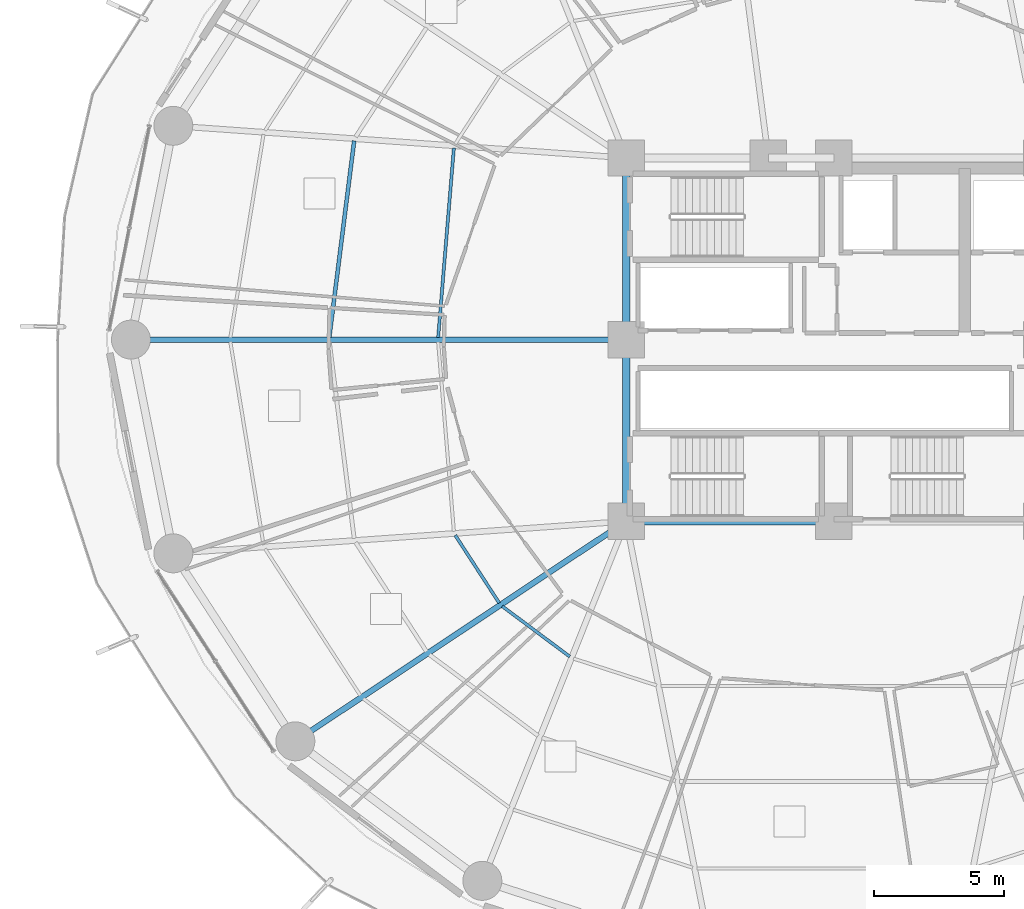
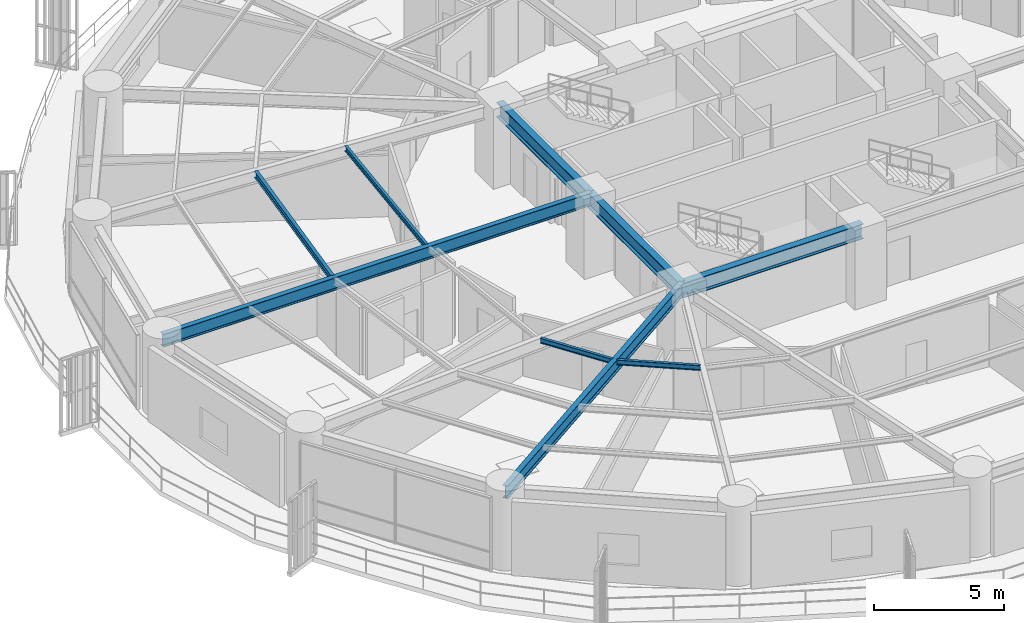
# One storey, part 7 of 31: 9 beams.
"""IFC4 building model written with IfcOpenShell, lengths in metres."""

from ifc_helpers import new_model, si_unit, direction, frame, origin, origin_2d, place, context, subcontext, project, spatial, i_section, extrude, material, material_profile, profile_set, type_object, element, save


model = new_model("IFC4")

# Units and contexts
model_context = context("Model", 3, precision=1e-05, world=origin(), true_north=direction((0.0, 1.0)))
body_context = subcontext(model_context, "Body", "Model", "MODEL_VIEW")
ifc_project = project(units=[si_unit("LENGTHUNIT", "METRE"), si_unit("AREAUNIT", "SQUARE_METRE"), si_unit("VOLUMEUNIT", "CUBIC_METRE"), si_unit("PLANEANGLEUNIT", "RADIAN"), si_unit("MASSUNIT", "GRAM", prefix="KILO")], contexts=[model_context])

# Site, building, storey
site_placement = place(None, origin())
site = spatial("IfcSite", under=ifc_project, at=site_placement, CompositionType="ELEMENT")
building_placement = place(site_placement, origin())
building = spatial("IfcBuilding", under=site, at=building_placement, Name="Kelanora Arch Commons", CompositionType="ELEMENT")
storey_placement = place(building_placement, frame((0.0, 0.0, 63.75)))
storey = spatial("IfcBuildingStorey", under=building, at=storey_placement, Name="L16", CompositionType="ELEMENT", Elevation=63.75)

# Beams
ifc_material = material(Name="Steel S355", Category="steel")
ifc_material_profile_1 = material_profile(ifc_material, i_section(OverallWidth=0.300048828125, OverallDepth=0.699951171875, WebThickness=0.01708984375, FlangeThickness=0.031982421875, FilletRadius=0.027099609375, at=origin_2d()), Name="HEB700")
ifc_profile_set_1 = profile_set([ifc_material_profile_1], Name="Steel S355")
beam_type_1 = type_object("IfcBeamType", Name="BM-CORE-HDR", PredefinedType="BEAM", material=ifc_profile_set_1)
beam_1_placement = place(storey_placement, frame((66.0, 51.0, 3.139892578125), z_axis=(1.0, 0.0, 0.0), x_axis=(0.0, 1.0, 0.0)))
element("IfcBeam", 1, at=beam_1_placement, inside=storey, type_object=beam_type_1, Name="Core Header Beam 01 L16", PredefinedType="BEAM", context=body_context, shape_type="SweptSolid", body=[
    extrude(i_section(OverallWidth=0.300048828125, OverallDepth=0.699951171875, WebThickness=0.01708984375, FlangeThickness=0.031982421875, FilletRadius=0.027099609375, at=origin_2d()), origin(), (0.0, 0.0, 1.0), 8.0),
])
for number, where, z_axis, x_axis, name in (
    (2, (66.0, 65.0, 3.139892578125), (0.0, -1.0, 0.0), (1.0, 0.0, 0.0), "Core Header Beam 08 L16"),
    (3, (66.0, 58.0, 3.139892578125), (0.0, -1.0, 0.0), (1.0, 0.0, 0.0), "Core Header Beam 09 L16"),
):
    element("IfcBeam", number, at=place(storey_placement, frame(where, z_axis=z_axis, x_axis=x_axis)), inside=storey, type_object=beam_type_1, Name=name, PredefinedType="BEAM", context=body_context, shape_type="SweptSolid", body=[
        extrude(i_section(OverallWidth=0.300048828125, OverallDepth=0.699951171875, WebThickness=0.01708984375, FlangeThickness=0.031982421875, FilletRadius=0.027099609375, at=origin_2d()), origin(), (0.0, 0.0, 1.0), 7.0),
    ])
ifc_material_profile_2 = material_profile(ifc_material, i_section(OverallWidth=0.14990234375, OverallDepth=0.300048828125, WebThickness=0.007080078125, FlangeThickness=0.0107421875, FilletRadius=0.014892578125, at=origin_2d()), Name="IPE300")
ifc_profile_set_2 = profile_set([ifc_material_profile_2], Name="Steel S355")
beam_type_2 = type_object("IfcBeamType", Name="BM-JST-01", PredefinedType="JOIST", material=ifc_profile_set_2)
beam_2_placement = place(storey_placement, frame((55.521240234375, 65.6572265625, 3.340087890625), z_axis=(-0.125565841651, -0.992085288375, 0.0), x_axis=(0.992085288375, -0.125565841651, 0.0)))
element("IfcBeam", 4, at=beam_2_placement, inside=storey, type_object=beam_type_2, Name="Secondary Chord Joist BJB-16 L16", PredefinedType="JOIST", context=body_context, shape_type="SweptSolid", body=[
    extrude(i_section(OverallWidth=0.14990234375, OverallDepth=0.300048828125, WebThickness=0.007080078125, FlangeThickness=0.0107421875, FilletRadius=0.014892578125, at=origin_2d()), origin(), (0.0, 0.0, 1.0), 7.63330078125),
])
ifc_material_profile_3 = material_profile(ifc_material, i_section(OverallWidth=0.1201171875, OverallDepth=0.239990234375, WebThickness=0.006103515625, FlangeThickness=0.009765625, FilletRadius=0.014892578125, at=origin_2d()), Name="IPE240")
ifc_profile_set_3 = profile_set([ifc_material_profile_3], Name="Steel S355")
beam_type_3 = type_object("IfcBeamType", Name="BM-JST-02", PredefinedType="JOIST", material=ifc_profile_set_3)
beam_3_placement = place(storey_placement, frame((59.363037109375, 65.385009765625, 3.3701171875), z_axis=(-0.082786209886, -0.996567330115, 0.0), x_axis=(0.996567330115, -0.082786209886, 0.0)))
element("IfcBeam", 5, at=beam_3_placement, inside=storey, type_object=beam_type_3, Name="Secondary Chord Joist BJA-16 L16", PredefinedType="JOIST", context=body_context, shape_type="SweptSolid", body=[
    extrude(i_section(OverallWidth=0.1201171875, OverallDepth=0.239990234375, WebThickness=0.006103515625, FlangeThickness=0.009765625, FilletRadius=0.014892578125, at=origin_2d()), origin(), (0.0, 0.0, 1.0), 7.325439453125),
])
beam_4_placement = place(storey_placement, frame((59.41650390625, 50.458984375, 3.3701171875), z_axis=(0.544591105858, -0.838701691557, 0.0), x_axis=(0.838701691557, 0.544591105858, 0.0)))
element("IfcBeam", 6, at=beam_4_placement, inside=storey, type_object=beam_type_3, Name="Secondary Chord Joist BJA-20 L16", PredefinedType="JOIST", context=body_context, shape_type="SweptSolid", body=[
    extrude(i_section(OverallWidth=0.1201171875, OverallDepth=0.239990234375, WebThickness=0.006103515625, FlangeThickness=0.009765625, FilletRadius=0.014892578125, at=origin_2d()), origin(), (0.0, 0.0, 1.0), 3.111328125),
])
beam_5_placement = place(storey_placement, frame((61.22509765625, 47.727294921875, 3.3701171875), z_axis=(0.801513822608, -0.59797624716, 0.0), x_axis=(0.59797624716, 0.801513822608, 0.0)))
element("IfcBeam", 7, at=beam_5_placement, inside=storey, type_object=beam_type_3, Name="Secondary Chord Joist BJA-22 L16", PredefinedType="JOIST", context=body_context, shape_type="SweptSolid", body=[
    extrude(i_section(OverallWidth=0.1201171875, OverallDepth=0.239990234375, WebThickness=0.006103515625, FlangeThickness=0.009765625, FilletRadius=0.014892578125, at=origin_2d()), origin(), (0.0, 0.0, 1.0), 3.245849609375),
])
ifc_material_profile_4 = material_profile(ifc_material, i_section(OverallWidth=0.219970703125, OverallDepth=0.60009765625, WebThickness=0.011962890625, FlangeThickness=0.01904296875, FilletRadius=0.02392578125, at=origin_2d()), Name="IPE600")
ifc_profile_set_4 = profile_set([ifc_material_profile_4], Name="Steel S355")
beam_type_4 = type_object("IfcBeamType", Name="BM-RAD-Z1", PredefinedType="BEAM", material=ifc_profile_set_4)
beam_6_placement = place(storey_placement, frame((66.0, 58.0, 3.18994140625), z_axis=(-1.0, 0.0, 0.0), x_axis=(0.0, -1.0, 0.0)))
element("IfcBeam", 8, at=beam_6_placement, inside=storey, type_object=beam_type_4, Name="Radial Floor Girder BR-18 L16", PredefinedType="BEAM", context=body_context, shape_type="SweptSolid", body=[
    extrude(i_section(OverallWidth=0.219970703125, OverallDepth=0.60009765625, WebThickness=0.011962890625, FlangeThickness=0.01904296875, FilletRadius=0.02392578125, at=origin_2d()), origin(), (0.0, 0.0, 1.0), 19.080078125),
])
beam_7_placement = place(storey_placement, frame((66.0, 51.0, 3.18994140625), z_axis=(-0.832592187754, -0.553886494591, 0.0), x_axis=(0.553886494591, -0.832592187754, 0.0)))
element("IfcBeam", 9, at=beam_7_placement, inside=storey, type_object=beam_type_4, Name="Radial Floor Girder BR-22 L16", PredefinedType="BEAM", context=body_context, shape_type="SweptSolid", body=[
    extrude(i_section(OverallWidth=0.219970703125, OverallDepth=0.60009765625, WebThickness=0.011962890625, FlangeThickness=0.01904296875, FilletRadius=0.02392578125, at=origin_2d()), origin(), (0.0, 0.0, 1.0), 15.306884765625),
])

save(model, "model.ifc")
